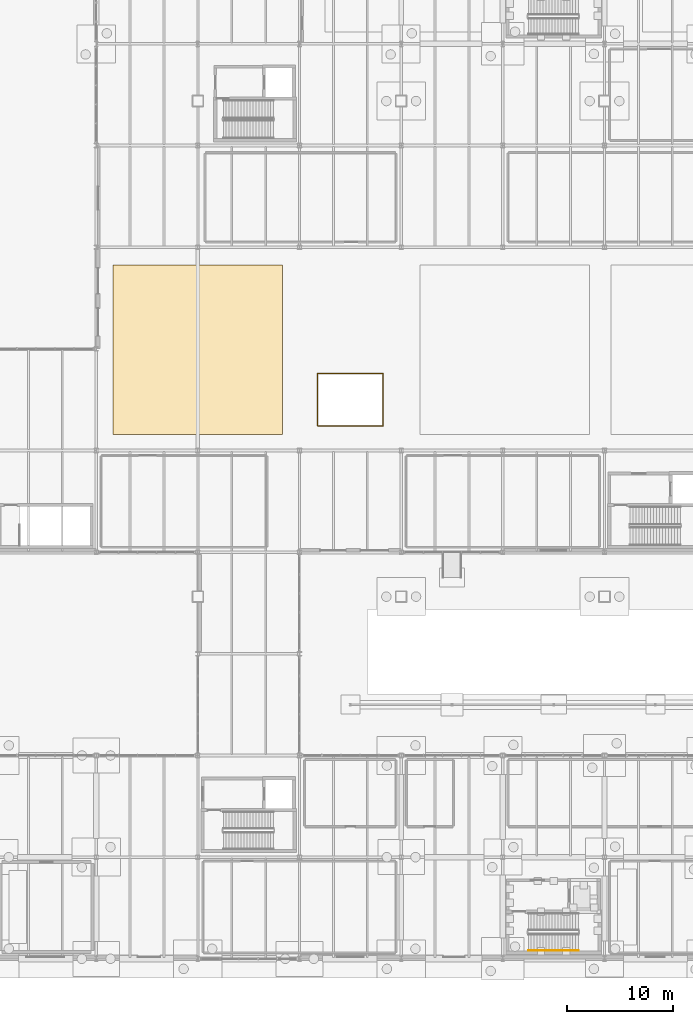
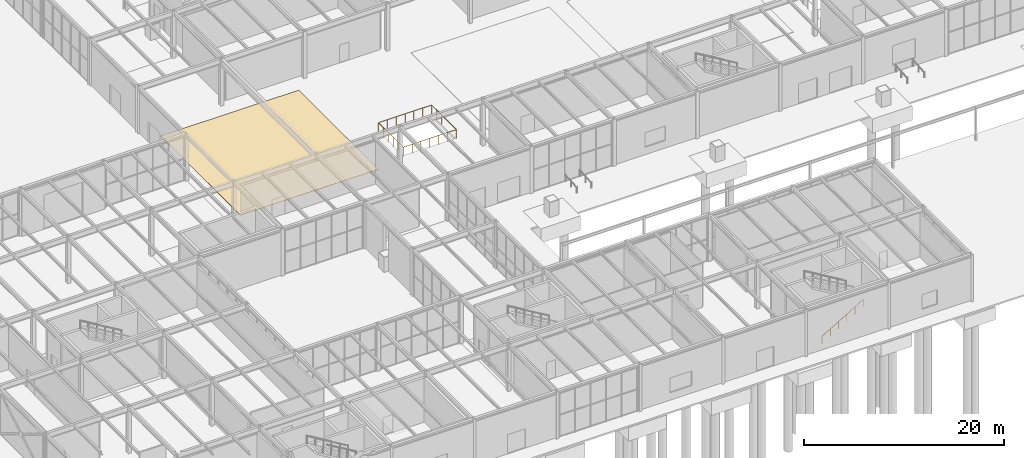
# One storey, part 131 of 142: 2 railings, 1 covering.
"""IFC4 building model written with IfcOpenShell, lengths in metres."""

from ifc_helpers import new_model, si_unit, direction, frame, origin, origin_2d, place, context, subcontext, project, spatial, polyline, circle, outline, extrude, material, layer, layer_set, type_object, element, save


model = new_model("IFC4")

# Units and contexts
model_context = context("Model", 3, precision=1e-05, world=origin(), true_north=direction((0.0, 1.0)))
body_context = subcontext(model_context, "Body", "Model", "MODEL_VIEW")
ifc_project = project(units=[si_unit("LENGTHUNIT", "METRE"), si_unit("AREAUNIT", "SQUARE_METRE"), si_unit("VOLUMEUNIT", "CUBIC_METRE"), si_unit("PLANEANGLEUNIT", "RADIAN"), si_unit("MASSUNIT", "GRAM", prefix="KILO")], contexts=[model_context])

# Site, building, storey
site_placement = place(None, origin())
site = spatial("IfcSite", under=ifc_project, at=site_placement, CompositionType="ELEMENT")
building_placement = place(site_placement, origin())
building = spatial("IfcBuilding", under=site, at=building_placement, Name="Coralgate Yard Interchange", CompositionType="ELEMENT")
storey_placement = place(building_placement, origin())
storey = spatial("IfcBuildingStorey", under=building, at=storey_placement, Name="L00", CompositionType="ELEMENT", Elevation=0.0)

# Covering
ifc_material_1 = material(Name="Honed Mombasa coral-aggregate epoxy terrazzo flooring")
ifc_layer = layer(ifc_material_1, 0.030029296875)
ifc_layer_set = layer_set([ifc_layer], Name="Honed Mombasa coral-aggregate epoxy terrazzo flooring")
covering_type = type_object("IfcCoveringType", Name="COV-FLR1", PredefinedType="FLOORING", material=ifc_layer_set)
covering_placement = place(storey_placement, origin())
element("IfcCovering", 1, at=covering_placement, inside=storey, type_object=covering_type, Name="L00 concourse terrazzo paving zone 1", PredefinedType="FLOORING", context=body_context, shape_type="SweptSolid", body=[
    extrude(outline(polyline([(40.0, 49.5), (56.0, 49.5), (56.0, 65.5), (40.0, 65.5), (40.0, 49.5)])), origin(), (0.0, 0.0, 1.0), 0.030029296875),
])

# Railings
ifc_material_2 = material(Name="Grade 316 marine stainless steel and toughened glass balustrade", Category="steel")
railing_type_1 = type_object("IfcRailingType", Name="RLG-GD1100", PredefinedType="BALUSTRADE", material=ifc_material_2)
railing_1_placement = place(storey_placement, frame((59.320068359375, 50.320068359375, 0.0)))
element("IfcRailing", 2, at=railing_1_placement, inside=storey, type_object=railing_type_1, Name="L00 metro lightwell crowd balustrade 1", PredefinedType="BALUSTRADE", context=body_context, shape_type="SweptSolid", body=[
    extrude(circle(Radius=0.02392578125, at=origin_2d()), frame((0.00048828125, 0.0, 1.0810546875), z_axis=(1.0, 0.0, 0.0), x_axis=(0.0, 1.0, 0.0)), (0.0, 0.0, 1.0), 6.158935546875),
    extrude(circle(Radius=0.02392578125, at=origin_2d()), frame((6.159912109375, 0.00048828125, 1.0810546875), z_axis=(0.0, 1.0, 0.0), x_axis=(-1.0, 0.0, 0.0)), (0.0, 0.0, 1.0), 4.958984375),
    extrude(circle(Radius=0.02392578125, at=origin_2d()), frame((6.159423828125, 4.9599609375, 1.0810546875), z_axis=(-1.0, 0.0, 0.0), x_axis=(0.0, -1.0, 0.0)), (0.0, 0.0, 1.0), 6.158935546875),
    extrude(circle(Radius=0.02392578125, at=origin_2d()), frame((0.0, 4.95947265625, 1.0810546875), z_axis=(0.0, -1.0, 0.0), x_axis=(1.0, 0.0, 0.0)), (0.0, 0.0, 1.0), 4.958984375),
    extrude(circle(Radius=0.02099609375, at=origin_2d()), origin(), (0.0, 0.0, 1.0), 1.056396484375),
    extrude(circle(Radius=0.02099609375, at=origin_2d()), frame((1.026611328125, 0.0, 0.0)), (0.0, 0.0, 1.0), 1.056396484375),
    extrude(circle(Radius=0.02099609375, at=origin_2d()), frame((2.05322265625, 0.0, 0.0)), (0.0, 0.0, 1.0), 1.056396484375),
    extrude(circle(Radius=0.02099609375, at=origin_2d()), frame((3.080078125, 0.0, 0.0)), (0.0, 0.0, 1.0), 1.056396484375),
    extrude(circle(Radius=0.02099609375, at=origin_2d()), frame((4.106689453125, 0.0, 0.0)), (0.0, 0.0, 1.0), 1.056396484375),
    extrude(circle(Radius=0.02099609375, at=origin_2d()), frame((5.13330078125, 0.0, 0.0)), (0.0, 0.0, 1.0), 1.056396484375),
    extrude(circle(Radius=0.02099609375, at=origin_2d()), frame((6.159912109375, 0.0, 0.0)), (0.0, 0.0, 1.0), 1.056396484375),
    extrude(circle(Radius=0.02099609375, at=origin_2d()), frame((6.159912109375, 0.991943359375, 0.0)), (0.0, 0.0, 1.0), 1.056396484375),
    extrude(circle(Radius=0.02099609375, at=origin_2d()), frame((6.159912109375, 1.98388671875, 0.0)), (0.0, 0.0, 1.0), 1.056396484375),
    extrude(circle(Radius=0.02099609375, at=origin_2d()), frame((6.159912109375, 2.97607421875, 0.0)), (0.0, 0.0, 1.0), 1.056396484375),
    extrude(circle(Radius=0.02099609375, at=origin_2d()), frame((6.159912109375, 3.968017578125, 0.0)), (0.0, 0.0, 1.0), 1.056396484375),
    extrude(circle(Radius=0.02099609375, at=origin_2d()), frame((6.159912109375, 4.9599609375, 0.0)), (0.0, 0.0, 1.0), 1.056396484375),
    extrude(circle(Radius=0.02099609375, at=origin_2d()), frame((5.13330078125, 4.9599609375, 0.0)), (0.0, 0.0, 1.0), 1.056396484375),
    extrude(circle(Radius=0.02099609375, at=origin_2d()), frame((4.106689453125, 4.9599609375, 0.0)), (0.0, 0.0, 1.0), 1.056396484375),
    extrude(circle(Radius=0.02099609375, at=origin_2d()), frame((3.080078125, 4.9599609375, 0.0)), (0.0, 0.0, 1.0), 1.056396484375),
    extrude(circle(Radius=0.02099609375, at=origin_2d()), frame((2.05322265625, 4.9599609375, 0.0)), (0.0, 0.0, 1.0), 1.056396484375),
    extrude(circle(Radius=0.02099609375, at=origin_2d()), frame((1.026611328125, 4.9599609375, 0.0)), (0.0, 0.0, 1.0), 1.056396484375),
    extrude(circle(Radius=0.02099609375, at=origin_2d()), frame((0.0, 4.9599609375, 0.0)), (0.0, 0.0, 1.0), 1.056396484375),
    extrude(circle(Radius=0.02099609375, at=origin_2d()), frame((0.0, 3.968017578125, 0.0)), (0.0, 0.0, 1.0), 1.056396484375),
    extrude(circle(Radius=0.02099609375, at=origin_2d()), frame((0.0, 2.97607421875, 0.0)), (0.0, 0.0, 1.0), 1.056396484375),
    extrude(circle(Radius=0.02099609375, at=origin_2d()), frame((0.0, 1.98388671875, 0.0)), (0.0, 0.0, 1.0), 1.056396484375),
    extrude(circle(Radius=0.02099609375, at=origin_2d()), frame((0.0, 0.991943359375, 0.0)), (0.0, 0.0, 1.0), 1.056396484375),
])
ifc_material_3 = material(Name="Grade 316 marine stainless steel", Category="steel")
railing_type_2 = type_object("IfcRailingType", Name="RLG-HR900", PredefinedType="HANDRAIL", material=ifc_material_3)
railing_2_placement = place(storey_placement, frame((79.199951171875, 0.77001953125, 0.166748046875)))
element("IfcRailing", 3, at=railing_2_placement, inside=storey, type_object=railing_type_2, Name="L00 ST-04 stair handrail 1", PredefinedType="HANDRAIL", context=body_context, shape_type="SweptSolid", body=[
    extrude(circle(Radius=0.02392578125, at=origin_2d()), frame((0.0, 0.0, 0.8759765625), z_axis=(0.859299802514, 0.0, 0.511472237174), x_axis=(0.0, 1.0, 0.0)), (0.0, 0.0, 1.0), 5.539306640625),
    extrude(circle(Radius=0.02099609375, at=origin_2d()), origin(), (0.0, 0.0, 1.0), 0.851318359375),
    extrude(circle(Radius=0.02099609375, at=origin_2d()), frame((0.951904296875, 0.0, 0.566650390625)), (0.0, 0.0, 1.0), 0.851318359375),
    extrude(circle(Radius=0.02099609375, at=origin_2d()), frame((1.904052734375, 0.0, 1.13330078125)), (0.0, 0.0, 1.0), 0.851318359375),
    extrude(circle(Radius=0.02099609375, at=origin_2d()), frame((2.85595703125, 0.0, 1.699951171875)), (0.0, 0.0, 1.0), 0.851318359375),
    extrude(circle(Radius=0.02099609375, at=origin_2d()), frame((3.80810546875, 0.0, 2.2666015625)), (0.0, 0.0, 1.0), 0.851318359375),
    extrude(circle(Radius=0.02099609375, at=origin_2d()), frame((4.760009765625, 0.0, 2.833251953125)), (0.0, 0.0, 1.0), 0.851318359375),
])

save(model, "model.ifc")
